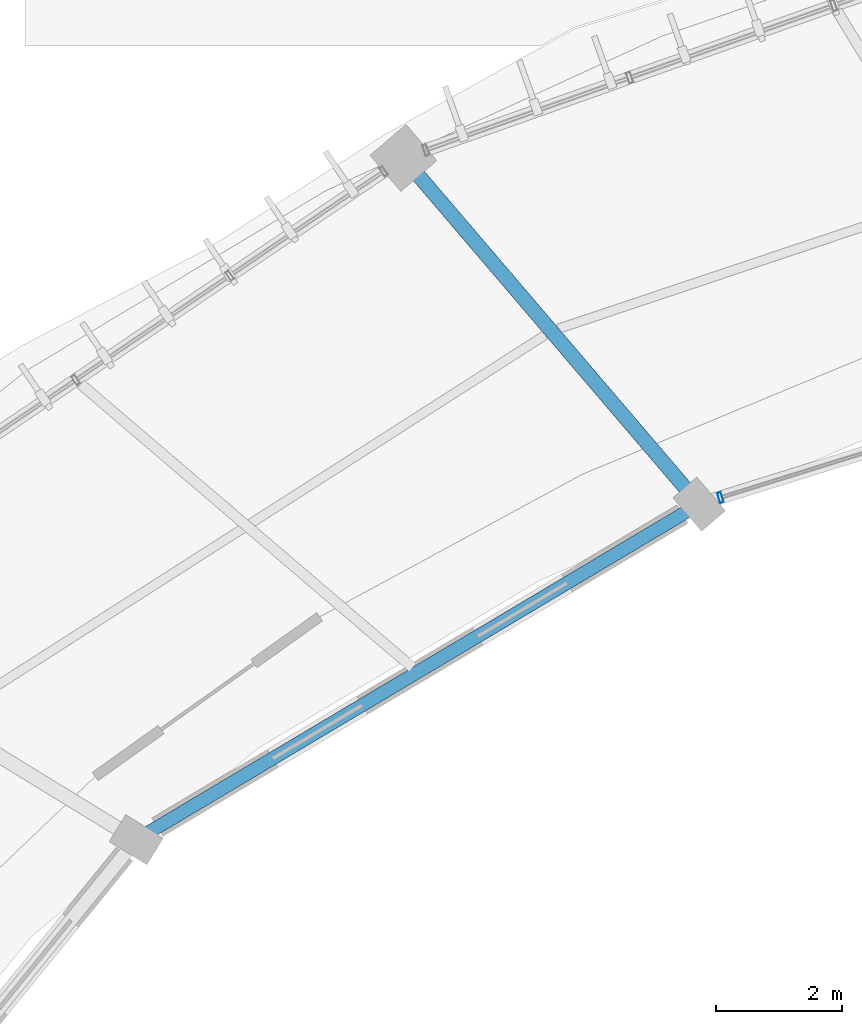
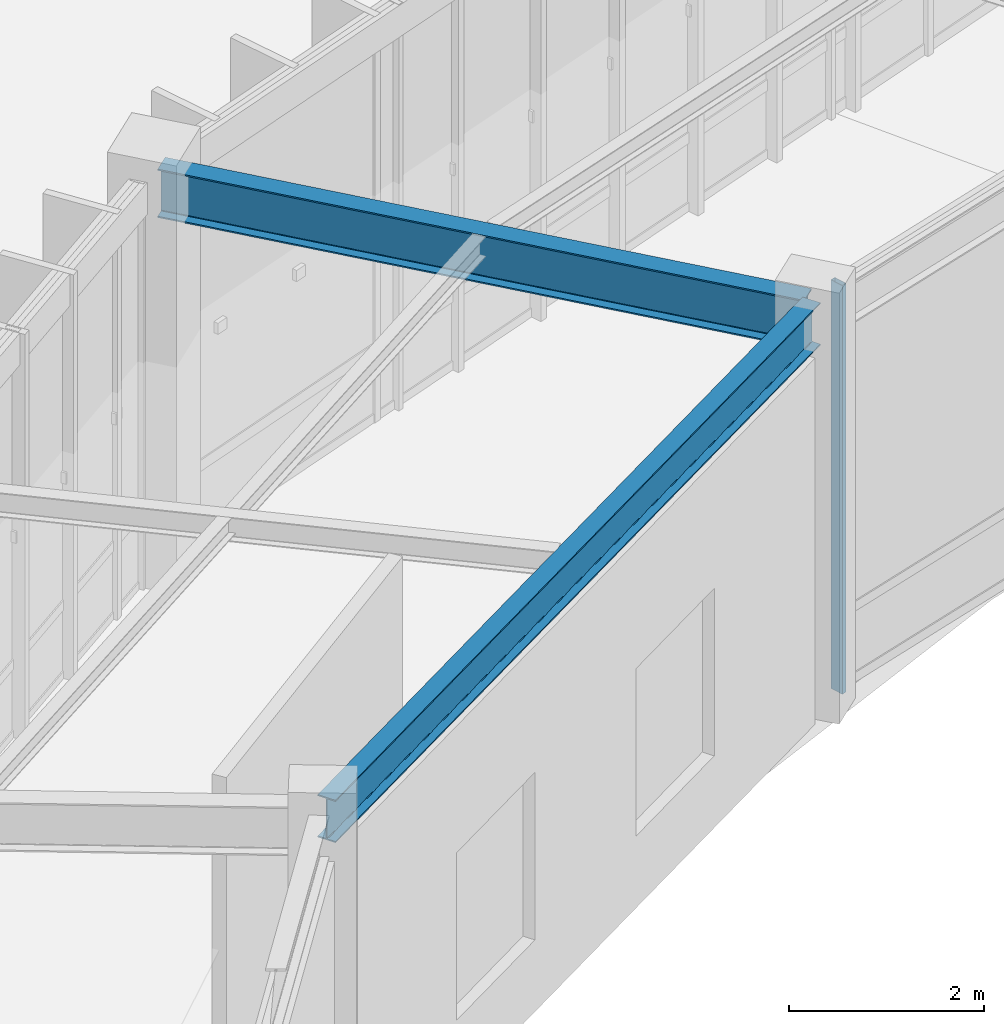
# One storey, part 53 of 157: 2 beams, 1 member, 1 element without a shape of its own.
"""IFC4 building model written with IfcOpenShell, lengths in metres."""

from ifc_helpers import new_model, si_unit, direction, frame, origin, origin_2d, place, context, subcontext, project, spatial, hollow_rectangle, i_section, extrude, material, material_profile, profile_set, type_object, element, aggregate, save


model = new_model("IFC4")

# Units and contexts
model_context = context("Model", 3, precision=1e-05, world=origin(), true_north=direction((0.0, 1.0)))
body_context = subcontext(model_context, "Body", "Model", "MODEL_VIEW")
ifc_project = project(units=[si_unit("LENGTHUNIT", "METRE"), si_unit("AREAUNIT", "SQUARE_METRE"), si_unit("VOLUMEUNIT", "CUBIC_METRE"), si_unit("PLANEANGLEUNIT", "RADIAN"), si_unit("MASSUNIT", "GRAM", prefix="KILO"), si_unit("THERMODYNAMICTEMPERATUREUNIT", "KELVIN"), si_unit("POWERUNIT", "WATT")], contexts=[model_context])

# Site, building, storey
site_placement = place(None, origin())
site = spatial("IfcSite", under=ifc_project, at=site_placement, CompositionType="ELEMENT")
building_placement = place(site_placement, origin())
building = spatial("IfcBuilding", under=site, at=building_placement, Name="Darbajah Civic Hall", CompositionType="ELEMENT")
storey_placement = place(building_placement, origin())
storey = spatial("IfcBuildingStorey", under=building, at=storey_placement, Name="L00", CompositionType="ELEMENT", Elevation=0.0)

# Curtain wall, member
ifc_material_1 = material(Name="Anodised Bronze Aluminium and Low-E Glazing", Category="aluminium")
curtain_wall_type = type_object("IfcCurtainWallType", Name="Unitised Curtain Wall CW-07 11500x5100", PredefinedType="USERDEFINED", material=ifc_material_1)
curtain_wall_placement = place(storey_placement, origin())
curtain_wall = element("IfcCurtainWall", 1, at=curtain_wall_placement, inside=storey, type_object=curtain_wall_type, Name="L00 unitised curtain wall CW-V1I-L00-06", ObjectType="UNITISED CURTAIN WALL", PredefinedType="USERDEFINED")
ifc_material_2 = material(Name="Anodised Bronze Aluminium", Category="aluminium")
ifc_material_profile_1 = material_profile(ifc_material_2, hollow_rectangle(XDim=0.06005859375, YDim=0.159912109375, WallThickness=0.00341796875, at=origin_2d()), Name="ALU MULLION 60x160")
ifc_profile_set_1 = profile_set([ifc_material_profile_1], Name="Anodised Bronze Aluminium")
member_type = type_object("IfcMemberType", Name="ALU MULLION 60x160", PredefinedType="MULLION", material=ifc_profile_set_1)
member_placement = place(storey_placement, frame((60.990234375, 106.86181640625, 0.0), z_axis=(0.0, 0.0, 1.0), x_axis=(-0.954604963513, -0.297874744877, 0.0)))
member = element("IfcMember", 2, at=member_placement, type_object=member_type, Name="CW-V1I-L00-06 mullion 4", PredefinedType="MULLION", context=body_context, shape_type="SweptSolid", body=[
    extrude(hollow_rectangle(XDim=0.06005859375, YDim=0.159912109375, WallThickness=0.00341796875, at=origin_2d()), origin(), (0.0, 0.0, 1.0), 5.1201171875),
])
aggregate(curtain_wall, [member])

# Beams
ifc_material_3 = material(Name="Steel S355JR", Category="steel")
ifc_material_profile_2 = material_profile(ifc_material_3, i_section(OverallWidth=0.209228515625, OverallDepth=0.533203125, WebThickness=0.010009765625, FlangeThickness=0.015625, FilletRadius=0.0126953125, at=origin_2d()), Name="UB 533x210x92")
ifc_profile_set_2 = profile_set([ifc_material_profile_2], Name="Steel S355JR")
beam_type_1 = type_object("IfcBeamType", Name="UB 533x210x92", PredefinedType="BEAM", material=ifc_profile_set_2)
beam_1_placement = place(storey_placement, frame((60.58544921875, 106.716064453125, 4.853515625), z_axis=(-0.858963370671, -0.512037037572, 0.0), x_axis=(0.512037037572, -0.858963370671, 0.0)))
element("IfcBeam", 3, at=beam_1_placement, inside=storey, type_object=beam_type_1, Name="L00 beam SB-533", PredefinedType="BEAM", context=body_context, shape_type="SweptSolid", body=[
    extrude(i_section(OverallWidth=0.209228515625, OverallDepth=0.533203125, WebThickness=0.010009765625, FlangeThickness=0.015625, FilletRadius=0.0126953125, at=origin_2d()), origin(), (0.0, 0.0, 1.0), 10.201171875),
])
ifc_material_profile_3 = material_profile(ifc_material_3, i_section(OverallWidth=0.228271484375, OverallDepth=0.607666015625, WebThickness=0.010986328125, FlangeThickness=0.017333984375, FilletRadius=0.0126953125, at=origin_2d()), Name="UB 610x229x113")
ifc_profile_set_3 = profile_set([ifc_material_profile_3], Name="Steel S355JR")
beam_type_2 = type_object("IfcBeamType", Name="UB 610x229x113", PredefinedType="BEAM", material=ifc_profile_set_3)
beam_2_placement = place(storey_placement, frame((60.602294921875, 106.81787109375, 4.816162109375), z_axis=(-0.649459534081, 0.760396155692, 0.0), x_axis=(-0.760396155692, -0.649459534081, 0.0)))
element("IfcBeam", 4, at=beam_2_placement, inside=storey, type_object=beam_type_2, Name="L00 beam SB-610", PredefinedType="BEAM", context=body_context, shape_type="SweptSolid", body=[
    extrude(i_section(OverallWidth=0.228271484375, OverallDepth=0.607666015625, WebThickness=0.010986328125, FlangeThickness=0.017333984375, FilletRadius=0.0126953125, at=origin_2d()), origin(), (0.0, 0.0, 1.0), 7.0400390625),
])

save(model, "model.ifc")
